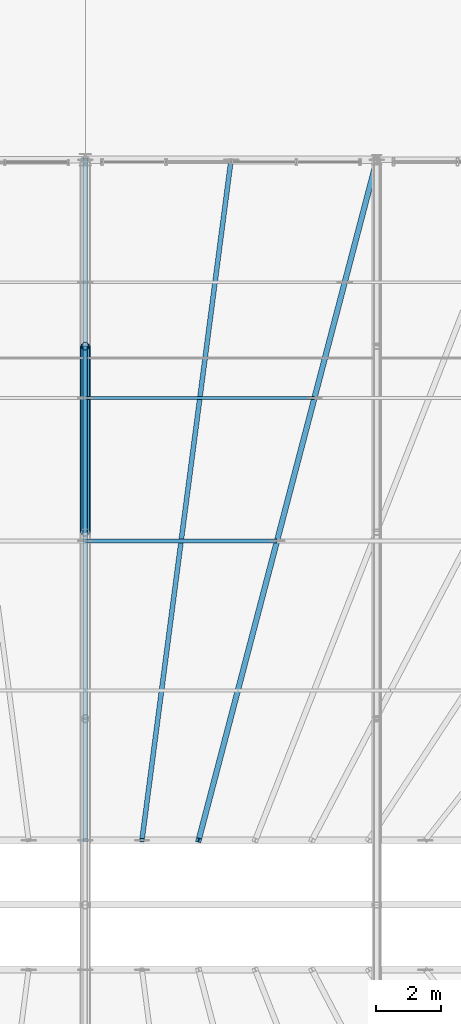
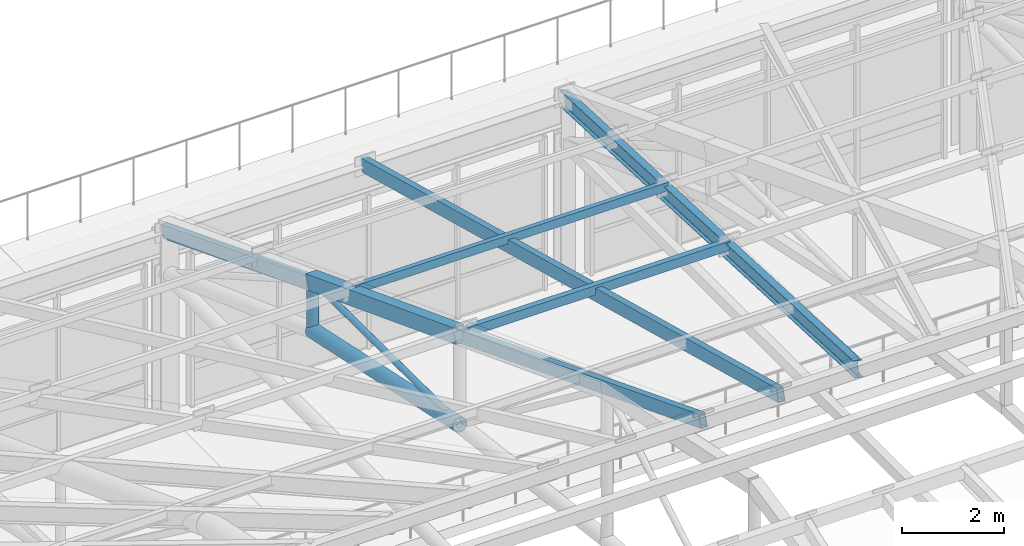
# One storey, part 55 of 168: 8 members, 1 beam.
"""IFC4 building model written with IfcOpenShell, lengths in metres."""

from ifc_helpers import new_model, si_unit, direction, frame, origin, origin_2d, place, context, subcontext, project, spatial, hollow_rectangle, hollow_circle, i_section, extrude, material, material_profile, profile_set, type_object, element, save


model = new_model("IFC4")

# Units and contexts
model_context = context("Model", 3, precision=1e-05, world=origin(), true_north=direction((0.0, 1.0)))
body_context = subcontext(model_context, "Body", "Model", "MODEL_VIEW")
ifc_project = project(units=[si_unit("LENGTHUNIT", "METRE"), si_unit("AREAUNIT", "SQUARE_METRE"), si_unit("VOLUMEUNIT", "CUBIC_METRE"), si_unit("PLANEANGLEUNIT", "RADIAN"), si_unit("MASSUNIT", "GRAM", prefix="KILO"), si_unit("THERMODYNAMICTEMPERATUREUNIT", "KELVIN"), si_unit("POWERUNIT", "WATT")], contexts=[model_context])

# Site, building, storey
site_placement = place(None, origin())
site = spatial("IfcSite", under=ifc_project, at=site_placement, CompositionType="ELEMENT")
building_placement = place(site_placement, origin())
building = spatial("IfcBuilding", under=site, at=building_placement, Name="Tepalcoro Natatorium and Aquatics Centre", CompositionType="ELEMENT")
storey_placement = place(building_placement, frame((0.0, 0.0, 10.199951171875)))
storey = spatial("IfcBuildingStorey", under=building, at=storey_placement, Name="L02", CompositionType="ELEMENT", Elevation=10.199951171875)

# Beam
ifc_material_1 = material(Name="Terracotta Painted Hollow Steel ASTM A500 Grade C (Fy 345 MPa)", Category="masonry")
ifc_material_profile_1 = material_profile(ifc_material_1, hollow_rectangle(XDim=0.25, YDim=0.35009765625, WallThickness=0.01611328125, at=origin_2d()), Name="HSS350X250X16")
ifc_profile_set_1 = profile_set([ifc_material_profile_1], Name="Terracotta Painted Hollow Steel ASTM A500 Grade C (Fy 345 MPa)")
beam_type = type_object("IfcBeamType", Name="AC_HSS350x250x16", PredefinedType="USERDEFINED", material=ifc_profile_set_1)
beam_placement = place(storey_placement, frame((89.0, 47.5, 8.81689453125), z_axis=(0.0, 0.93419963938, -0.356750660521), x_axis=(-1.0, 0.0, 0.0)))
element("IfcBeam", 1, at=beam_placement, inside=storey, type_object=beam_type, Name="V1 Arched Truss Top Chord 5", ObjectType="ARCH CHORD", PredefinedType="USERDEFINED", context=body_context, shape_type="SweptSolid", body=[
    extrude(hollow_rectangle(XDim=0.25, YDim=0.35009765625, WallThickness=0.01611328125, at=origin_2d()), origin(), (0.0, 0.0, 1.0), 6.155029296875),
])

# Members
ifc_material_profile_2 = material_profile(ifc_material_1, hollow_circle(Radius=0.162109375, WallThickness=0.013916015625, at=origin_2d()), Name="CHS324X14")
ifc_profile_set_2 = profile_set([ifc_material_profile_2], Name="Terracotta Painted Hollow Steel ASTM A500 Grade C (Fy 345 MPa)")
member_type_1 = type_object("IfcMemberType", Name="MB_CH_CHS324x14", PredefinedType="CHORD", material=ifc_profile_set_2)
member_1_placement = place(storey_placement, frame((89.0, 47.5, 6.66259765625), z_axis=(0.0, 0.977724584974, -0.209891962535), x_axis=(-1.0, 0.0, 0.0)))
element("IfcMember", 2, at=member_1_placement, inside=storey, type_object=member_type_1, Name="V1 Arched Truss Bottom Chord 5", PredefinedType="CHORD", context=body_context, shape_type="SweptSolid", body=[
    extrude(hollow_circle(Radius=0.162109375, WallThickness=0.013916015625, at=origin_2d()), origin(), (0.0, 0.0, 1.0), 5.881103515625),
])
ifc_material_2 = material(Name="Hollow Steel ASTM A500 Grade C (Fy 345 MPa)", Category="steel")
ifc_material_profile_3 = material_profile(ifc_material_2, hollow_rectangle(XDim=0.10009765625, YDim=0.199951171875, WallThickness=0.008056640625, at=origin_2d()), Name="HSS200X100X8")
ifc_profile_set_3 = profile_set([ifc_material_profile_3], Name="Hollow Steel ASTM A500 Grade C (Fy 345 MPa)")
member_type_2 = type_object("IfcMemberType", Name="MB_PR_HSS200x100x8", PredefinedType="PURLIN", material=ifc_profile_set_3)
member_2_placement = place(storey_placement, frame((89.0, 51.64990234375, 7.380126953125), z_axis=(1.0, 0.0, 0.0), x_axis=(0.0, 1.0, 0.0)))
element("IfcMember", 3, at=member_2_placement, inside=storey, type_object=member_type_2, Name="Pyramid Horizontal Purlin North", PredefinedType="PURLIN", context=body_context, shape_type="SweptSolid", body=[
    extrude(hollow_rectangle(XDim=0.10009765625, YDim=0.199951171875, WallThickness=0.008056640625, at=origin_2d()), origin(), (0.0, 0.0, 1.0), 7.074951171875),
])
ifc_material_profile_4 = material_profile(ifc_material_2, hollow_rectangle(XDim=0.1201171875, YDim=0.219970703125, WallThickness=0.010009765625, at=origin_2d()), Name="HSS220X120X10")
ifc_profile_set_4 = profile_set([ifc_material_profile_4], Name="Hollow Steel ASTM A500 Grade C (Fy 345 MPa)")
member_type_3 = type_object("IfcMemberType", Name="MB_PR_HSS220x120x10", PredefinedType="PURLIN", material=ifc_profile_set_4)
member_3_placement = place(storey_placement, frame((89.0, 47.239990234375, 9.05419921875), z_axis=(1.0, 0.0, 0.0), x_axis=(0.0, 1.0, 0.0)))
element("IfcMember", 4, at=member_3_placement, inside=storey, type_object=member_type_3, Name="Pyramid Horizontal Purlin North", PredefinedType="PURLIN", context=body_context, shape_type="SweptSolid", body=[
    extrude(hollow_rectangle(XDim=0.1201171875, YDim=0.219970703125, WallThickness=0.010009765625, at=origin_2d()), origin(), (0.0, 0.0, 1.0), 5.919921875),
])
ifc_material_profile_5 = material_profile(ifc_material_1, hollow_circle(Radius=0.1220703125, WallThickness=0.011962890625, at=origin_2d()), Name="CHS244X12")
ifc_profile_set_5 = profile_set([ifc_material_profile_5], Name="Terracotta Painted Hollow Steel ASTM A500 Grade C (Fy 345 MPa)")
member_type_4 = type_object("IfcMemberType", Name="MB_PS_CHS244x12", PredefinedType="POST", material=ifc_profile_set_5)
member_4_placement = place(storey_placement, frame((89.0, 53.25, 5.42822265625), z_axis=(0.0, 0.0, 1.0), x_axis=(1.0, 0.0, 0.0)))
element("IfcMember", 5, at=member_4_placement, inside=storey, type_object=member_type_4, Name="V1 Arched Truss Vertical Post 5", PredefinedType="POST", context=body_context, shape_type="SweptSolid", body=[
    extrude(hollow_circle(Radius=0.1220703125, WallThickness=0.011962890625, at=origin_2d()), origin(), (0.0, 0.0, 1.0), 1.19287109375),
])
ifc_material_profile_6 = material_profile(ifc_material_1, hollow_rectangle(XDim=0.14990234375, YDim=0.300048828125, WallThickness=0.011962890625, at=origin_2d()), Name="HSS300X150X12")
ifc_profile_set_6 = profile_set([ifc_material_profile_6], Name="Terracotta Painted Hollow Steel ASTM A500 Grade C (Fy 345 MPa)")
member_type_5 = type_object("IfcMemberType", Name="MB_RF_HSS300x150x12", PredefinedType="RAFTER", material=ifc_profile_set_6)
member_5_placement = place(storey_placement, frame((89.0, 59.0, 4.320068359375), z_axis=(0.0, -0.931427987126, 0.363925685818), x_axis=(1.0, 0.0, 0.0)))
element("IfcMember", 6, at=member_5_placement, inside=storey, type_object=member_type_5, Name="Pyramid Skylight Rafter North", PredefinedType="RAFTER", context=body_context, shape_type="SweptSolid", body=[
    extrude(hollow_rectangle(XDim=0.14990234375, YDim=0.300048828125, WallThickness=0.011962890625, at=origin_2d()), origin(), (0.0, 0.0, 1.0), 22.546142578125),
])
member_6_placement = place(storey_placement, frame((93.5, 59.0, 4.320068359375), z_axis=(-0.121075397608, -0.924575763548, 0.361248398686), x_axis=(0.991534461322, -0.129843798506, 0.0)))
element("IfcMember", 7, at=member_6_placement, inside=storey, type_object=member_type_5, Name="Pyramid Skylight Rafter North", PredefinedType="RAFTER", context=body_context, shape_type="SweptSolid", body=[
    extrude(hollow_rectangle(XDim=0.14990234375, YDim=0.300048828125, WallThickness=0.011962890625, at=origin_2d()), origin(), (0.0, 0.0, 1.0), 22.713134765625),
])
ifc_material_3 = material(Name="Steel ASTM A992 Grade 50 (Fy 345 MPa)", Category="steel")
ifc_material_profile_7 = material_profile(ifc_material_3, i_section(OverallWidth=0.1708984375, OverallDepth=0.35595703125, WebThickness=0.007080078125, FlangeThickness=0.011962890625, FilletRadius=0.013916015625, at=origin_2d()), Name="W14X34")
ifc_profile_set_7 = profile_set([ifc_material_profile_7], Name="Steel ASTM A992 Grade 50 (Fy 345 MPa)")
member_type_6 = type_object("IfcMemberType", Name="MB_RF_W14x34", PredefinedType="RAFTER", material=ifc_profile_set_7)
member_7_placement = place(storey_placement, frame((98.0, 59.0, 4.320068359375), z_axis=(-0.23699559669, -0.904892278272, 0.353557706568), x_axis=(0.96737222338, -0.253359391838, 0.0)))
element("IfcMember", 8, at=member_7_placement, inside=storey, type_object=member_type_6, Name="Pyramid Skylight Rafter North", PredefinedType="RAFTER", context=body_context, shape_type="SweptSolid", body=[
    extrude(i_section(OverallWidth=0.1708984375, OverallDepth=0.35595703125, WebThickness=0.007080078125, FlangeThickness=0.011962890625, FilletRadius=0.013916015625, at=origin_2d()), origin(), (0.0, 0.0, 1.0), 23.207275390625),
])
ifc_material_profile_8 = material_profile(ifc_material_1, hollow_circle(Radius=0.070068359375, WallThickness=0.008056640625, at=origin_2d()), Name="CHS140X8")
ifc_profile_set_8 = profile_set([ifc_material_profile_8], Name="Terracotta Painted Hollow Steel ASTM A500 Grade C (Fy 345 MPa)")
member_type_7 = type_object("IfcMemberType", Name="MB_ST_CHS140x8", PredefinedType="STRUT", material=ifc_profile_set_8)
member_8_placement = place(storey_placement, frame((89.0, 47.5, 6.66259765625), z_axis=(0.0, 0.999973950746, -0.007217882627), x_axis=(-1.0, 0.0, 0.0)))
element("IfcMember", 9, at=member_8_placement, inside=storey, type_object=member_type_7, Name="V1 Arched Truss Web Diagonal 5", PredefinedType="STRUT", context=body_context, shape_type="SweptSolid", body=[
    extrude(hollow_circle(Radius=0.070068359375, WallThickness=0.008056640625, at=origin_2d()), origin(), (0.0, 0.0, 1.0), 5.750244140625),
])

save(model, "model.ifc")
